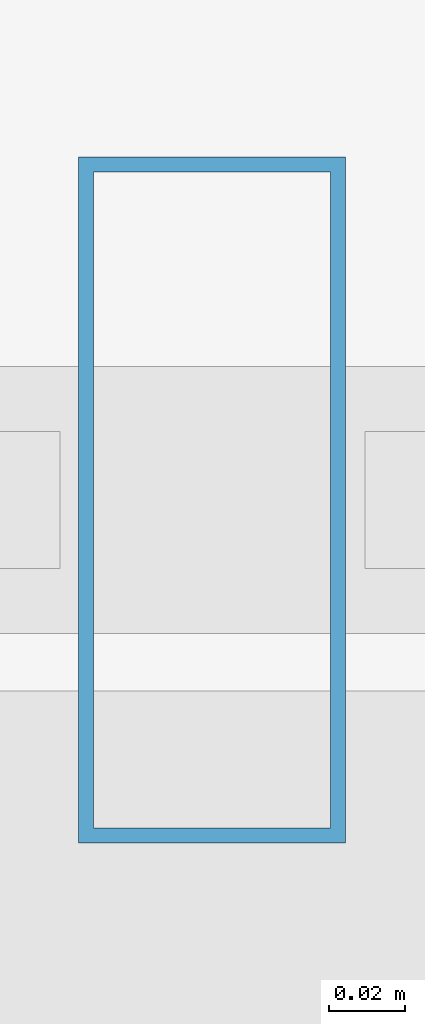
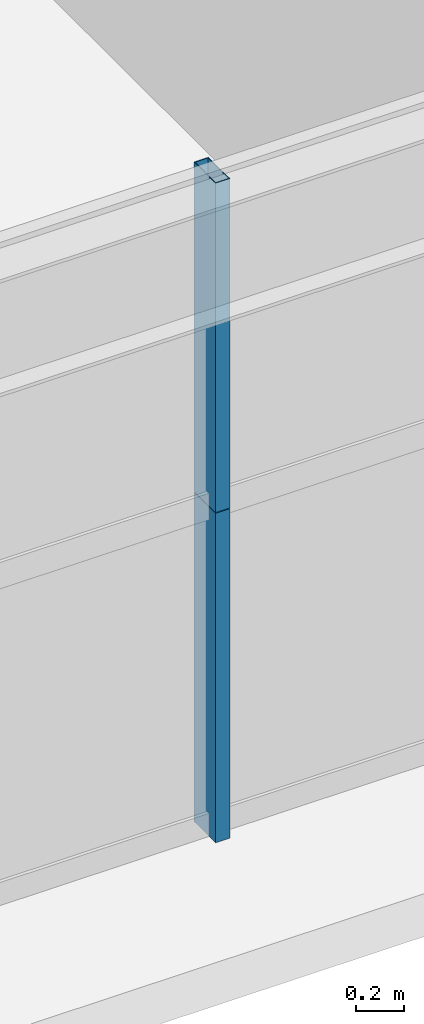
# One storey, part 9 of 46: 2 members, 1 element without a shape of its own.
"""IFC4 building model written with IfcOpenShell, lengths in metres."""

from ifc_helpers import new_model, si_unit, direction, frame, origin, origin_2d, place, context, subcontext, project, spatial, hollow_rectangle, extrude, source, transform, mapped, material, layer, layer_set, material_profile, profile_set, type_object, element, aggregate, save


model = new_model("IFC4")

# Units and contexts
model_context = context("Model", 3, precision=1e-05, world=origin(), true_north=direction((0.0, 1.0)))
body_context = subcontext(model_context, "Body", "Model", "MODEL_VIEW")
ifc_project = project(units=[si_unit("LENGTHUNIT", "METRE"), si_unit("AREAUNIT", "SQUARE_METRE"), si_unit("VOLUMEUNIT", "CUBIC_METRE"), si_unit("PLANEANGLEUNIT", "RADIAN"), si_unit("MASSUNIT", "GRAM", prefix="KILO"), si_unit("THERMODYNAMICTEMPERATUREUNIT", "KELVIN"), si_unit("POWERUNIT", "WATT")], contexts=[model_context])

# Site, building, storey
site_placement = place(None, origin())
site = spatial("IfcSite", under=ifc_project, at=site_placement, CompositionType="ELEMENT")
building_placement = place(site_placement, origin())
building = spatial("IfcBuilding", under=site, at=building_placement, Name="Yuzanri Waterfront Tower", CompositionType="ELEMENT")
storey_placement = place(building_placement, frame((0.0, 0.0, 56.800048828125)))
storey = spatial("IfcBuildingStorey", under=building, at=storey_placement, Name="L14", CompositionType="ELEMENT", Elevation=56.800048828125)

# Curtain wall, members
ifc_material_1 = material(Name="Anodized Architectural Bronze", Category="metal")
ifc_layer = layer(ifc_material_1, 0.159912109375)
ifc_layer_set = layer_set([ifc_layer], Name="Anodized Architectural Bronze")
curtain_wall_type = type_object("IfcCurtainWallType", Name="Anodized Bronze Hotel Lower-Tier Recessed Unitized Curtain Wall 8100", PredefinedType="NOTDEFINED", material=ifc_layer_set)
curtain_wall_placement = place(storey_placement, origin())
curtain_wall = element("IfcCurtainWall", 1, at=curtain_wall_placement, inside=storey, type_object=curtain_wall_type, Name="L14 Curtain Wall CW-L14-SL", PredefinedType="NOTDEFINED")
ifc_material_2 = material(Name="Anodized Architectural Bronze", Category="metal")
ifc_material_profile = material_profile(ifc_material_2, hollow_rectangle(XDim=0.070068359375, YDim=0.179931640625, WallThickness=0.00390625, at=origin_2d()), Name="CWM 70x180")
ifc_profile_set = profile_set([ifc_material_profile], Name="Anodized Architectural Bronze")
member_type = type_object("IfcMemberType", Name="Anodized Bronze Standard Curtain-Wall Mullion 70x180", PredefinedType="MULLION", material=ifc_profile_set)
shared_shape = source(origin(), body_context, "Body", "SweptSolid", [
    extrude(hollow_rectangle(XDim=0.070068359375, YDim=0.179931640625, WallThickness=0.00390625, at=origin_2d()), origin(), (0.0, 0.0, 1.0), 1.68798828125),
])
member_1_placement = place(storey_placement, frame((27.89990234375, 0.85009765625, 0.0), z_axis=(0.0, 0.0, 1.0), x_axis=(1.0, 0.0, 0.0)))
member_1 = element("IfcMember", 2, at=member_1_placement, type_object=member_type, Name="CW-L14-SL Lower Mullion 01", PredefinedType="MULLION", context=body_context, shape_type="MappedRepresentation", body=[
    mapped(shared_shape, transform((0.0, 0.0, 0.0), scale=1.0)),
])
member_2_placement = place(storey_placement, frame((27.89990234375, 0.85009765625, 1.69189453125), z_axis=(0.0, 0.0, 1.0), x_axis=(1.0, 0.0, 0.0)))
member_2 = element("IfcMember", 3, at=member_2_placement, type_object=member_type, Name="CW-L14-SL Upper Mullion 01", PredefinedType="MULLION", context=body_context, shape_type="MappedRepresentation", body=[
    mapped(shared_shape, transform((0.0, 0.0, 0.0), scale=1.0)),
])
aggregate(curtain_wall, [member_1, member_2])

save(model, "model.ifc")
